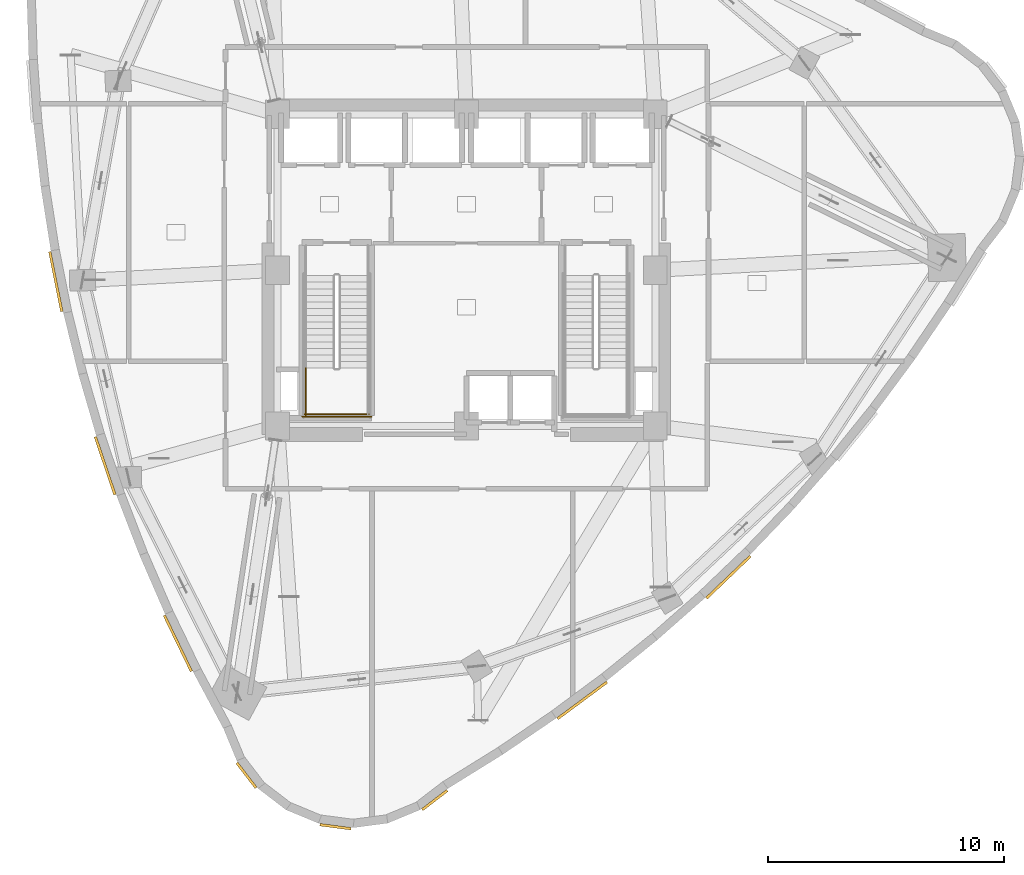
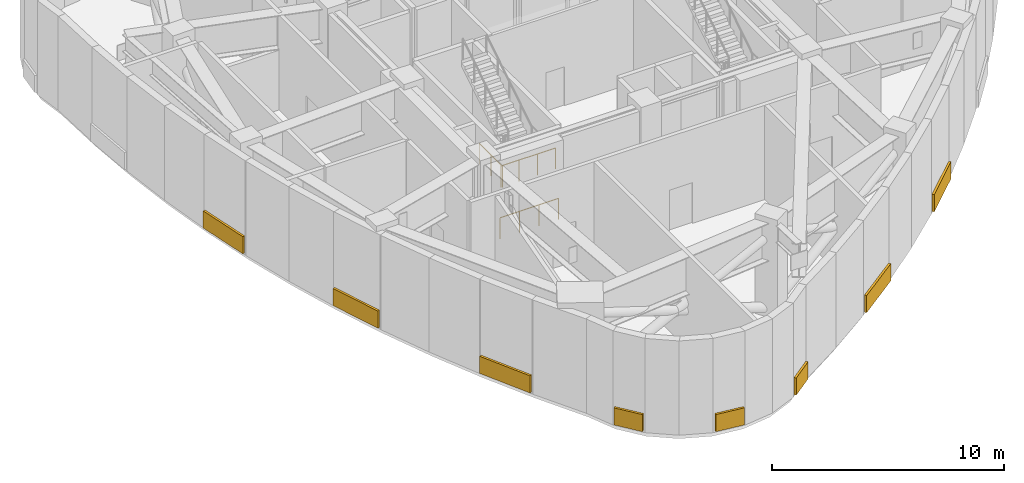
# One storey, part 10 of 12: 8 coverings, 3 railings.
"""IFC4 building model written with IfcOpenShell, lengths in metres."""

from ifc_helpers import new_model, si_unit, direction, frame, origin, origin_2d, place, context, subcontext, project, spatial, rectangle, circle, extrude, material, layer, layer_set, type_object, element, save


model = new_model("IFC4")

# Units and contexts
model_context = context("Model", 3, precision=1e-05, world=origin(), true_north=direction((0.0, 1.0)))
body_context = subcontext(model_context, "Body", "Model", "MODEL_VIEW")
ifc_project = project(units=[si_unit("LENGTHUNIT", "METRE"), si_unit("AREAUNIT", "SQUARE_METRE"), si_unit("VOLUMEUNIT", "CUBIC_METRE"), si_unit("PLANEANGLEUNIT", "RADIAN"), si_unit("MASSUNIT", "GRAM", prefix="KILO")], contexts=[model_context])

# Site, building, storey
site_placement = place(None, origin())
site = spatial("IfcSite", under=ifc_project, at=site_placement, CompositionType="ELEMENT")
building_placement = place(site_placement, origin())
building = spatial("IfcBuilding", under=site, at=building_placement, Name="Ndelora Gate Hotel", CompositionType="ELEMENT")
storey_placement = place(building_placement, frame((0.0, 0.0, 168.5)))
storey = spatial("IfcBuildingStorey", under=building, at=storey_placement, Name="L42", CompositionType="ELEMENT", Elevation=168.5)

# Coverings
ifc_material_1 = material(Name="Terracotta Fired Clay Brick Slip Cladding", Category="masonry")
ifc_layer_1 = layer(ifc_material_1, 0.110107421875)
ifc_layer_set_1 = layer_set([ifc_layer_1], Name="Terracotta Fired Clay Brick Slip Cladding")
covering_type = type_object("IfcCoveringType", Name="COV-CLAD-BRK", PredefinedType="CLADDING", material=ifc_layer_set_1)
for number, where, z_axis, x_axis, name in (
    (1, (-17.38818359375, -0.483642578125, 0.10009765625), (0.0, 0.0, 1.0), (-0.196801817247, 0.980443289909, 0.0), "L42 Rounded-Corner Brick Cladding Band 13"),
    (2, (-15.30029296875, -8.275390625, 0.10009765625), (0.0, 0.0, 1.0), (-0.319786271707, 0.947489704655, 0.0), "L42 Rounded-Corner Brick Cladding Band 16"),
):
    element("IfcCovering", number, at=place(storey_placement, frame(where, z_axis=z_axis, x_axis=x_axis)), inside=storey, type_object=covering_type, Name=name, PredefinedType="CLADDING", context=body_context, shape_type="SweptSolid", body=[
        extrude(rectangle(XDim=2.583984375, YDim=0.110107421875, at=origin_2d()), origin(), (0.0, 0.0, 1.0), 0.89990234375),
    ])
covering_1_placement = place(storey_placement, frame((-12.21923828125, -15.800048828125, 0.10009765625), z_axis=(0.0, 0.0, 1.0), x_axis=(-0.435702445497, 0.900090761528, 0.0)))
element("IfcCovering", 3, at=covering_1_placement, inside=storey, type_object=covering_type, Name="L42 Rounded-Corner Brick Cladding Band 19", PredefinedType="CLADDING", context=body_context, shape_type="SweptSolid", body=[
    extrude(rectangle(XDim=2.6279296875, YDim=0.110107421875, at=origin_2d()), origin(), (0.0, 0.0, 1.0), 0.89990234375),
])
for number, where, z_axis, x_axis, name in (
    (4, (-9.315185546875, -21.3896484375, 0.10009765625), (0.0, 0.0, 1.0), (-0.608761429009, 0.793353340291, 0.0), "L42 Rounded-Corner Brick Cladding Band 22"),
    (5, (-5.5458984375, -23.565673828125, 0.10009765625), (0.0, 0.0, 1.0), (-0.991444861374, 0.13052619222, 0.0), "L42 Rounded-Corner Brick Cladding Band 25"),
    (6, (-1.342041015625, -22.439208984375, 0.10009765625), (0.0, 0.0, 1.0), (0.793353340291, 0.608761429009, 0.0), "L42 Rounded-Corner Brick Cladding Band 28"),
):
    element("IfcCovering", number, at=place(storey_placement, frame(where, z_axis=z_axis, x_axis=x_axis)), inside=storey, type_object=covering_type, Name=name, PredefinedType="CLADDING", context=body_context, shape_type="SweptSolid", body=[
        extrude(rectangle(XDim=1.3359375, YDim=0.110107421875, at=origin_2d()), origin(), (0.0, 0.0, 1.0), 0.89990234375),
    ])
covering_2_placement = place(storey_placement, frame((4.90625, -18.215087890625, 0.10009765625), z_axis=(0.0, 0.0, 1.0), x_axis=(0.803441400112, 0.595383839708, 0.0)))
element("IfcCovering", 7, at=covering_2_placement, inside=storey, type_object=covering_type, Name="L42 Rounded-Corner Brick Cladding Band 31", PredefinedType="CLADDING", context=body_context, shape_type="SweptSolid", body=[
    extrude(rectangle(XDim=2.60791015625, YDim=0.110107421875, at=origin_2d()), origin(), (0.0, 0.0, 1.0), 0.89990234375),
])
covering_3_placement = place(storey_placement, frame((11.09521484375, -12.996337890625, 0.10009765625), z_axis=(0.0, 0.0, 1.0), x_axis=(0.722001787667, 0.69189118986, 0.0)))
element("IfcCovering", 8, at=covering_3_placement, inside=storey, type_object=covering_type, Name="L42 Rounded-Corner Brick Cladding Band 34", PredefinedType="CLADDING", context=body_context, shape_type="SweptSolid", body=[
    extrude(rectangle(XDim=2.580078125, YDim=0.110107421875, at=origin_2d()), origin(), (0.0, 0.0, 1.0), 0.89990234375),
])

# Railings
ifc_material_2 = material(Name="Painted Galvanized Steel Balustrade", Category="steel")
ifc_layer_2 = layer(ifc_material_2, 0.06005859375)
ifc_layer_set_2 = layer_set([ifc_layer_2], Name="Painted Galvanized Steel Balustrade")
railing_type = type_object("IfcRailingType", Name="RL-STAIR-GD", PredefinedType="GUARDRAIL", material=ifc_layer_set_2)
railing_1_placement = place(storey_placement, frame((-6.800048828125, -4.14990234375, 2.625)))
element("IfcRailing", 9, at=railing_1_placement, inside=storey, type_object=railing_type, Name="L42 ST4 stair guard 3", PredefinedType="GUARDRAIL", context=body_context, shape_type="SweptSolid", body=[
    extrude(circle(Radius=0.02392578125, at=origin_2d()), frame((0.0, 0.0, 1.10595703125), z_axis=(0.0, -1.0, 0.0), x_axis=(1.0, 0.0, 0.0)), (0.0, 0.0, 1.0), 2.0),
    extrude(circle(Radius=0.02099609375, at=origin_2d()), origin(), (0.0, 0.0, 1.0), 1.081787109375),
    extrude(circle(Radius=0.02099609375, at=origin_2d()), frame((0.0, -1.0, 0.0)), (0.0, 0.0, 1.0), 1.081787109375),
    extrude(circle(Radius=0.02099609375, at=origin_2d()), frame((0.0, -2.0, 0.0)), (0.0, 0.0, 1.0), 1.081787109375),
])
railing_2_placement = place(storey_placement, frame((-6.85009765625, -6.10009765625, 2.625)))
element("IfcRailing", 10, at=railing_2_placement, inside=storey, type_object=railing_type, Name="L42 ST4 stair guard 5", PredefinedType="GUARDRAIL", context=body_context, shape_type="SweptSolid", body=[
    extrude(circle(Radius=0.02392578125, at=origin_2d()), frame((0.0, 0.0, 1.10595703125), z_axis=(1.0, 0.0, 0.0), x_axis=(0.0, 1.0, 0.0)), (0.0, 0.0, 1.0), 2.72021484375),
    extrude(circle(Radius=0.02099609375, at=origin_2d()), origin(), (0.0, 0.0, 1.0), 1.081787109375),
    extrude(circle(Radius=0.02099609375, at=origin_2d()), frame((0.90673828125, 0.0, 0.0)), (0.0, 0.0, 1.0), 1.081787109375),
    extrude(circle(Radius=0.02099609375, at=origin_2d()), frame((1.8134765625, 0.0, 0.0)), (0.0, 0.0, 1.0), 1.081787109375),
    extrude(circle(Radius=0.02099609375, at=origin_2d()), frame((2.72021484375, 0.0, 0.0)), (0.0, 0.0, 1.0), 1.081787109375),
])
railing_3_placement = place(storey_placement, frame((-6.949951171875, -6.199951171875, 0.0)))
element("IfcRailing", 11, at=railing_3_placement, inside=storey, type_object=railing_type, Name="L42 ST4 stair guard 12", PredefinedType="GUARDRAIL", context=body_context, shape_type="SweptSolid", body=[
    extrude(circle(Radius=0.02392578125, at=origin_2d()), frame((0.0, 0.0, 1.10595703125), z_axis=(1.0, 0.0, 0.0), x_axis=(0.0, 1.0, 0.0)), (0.0, 0.0, 1.0), 2.919921875),
    extrude(circle(Radius=0.02099609375, at=origin_2d()), origin(), (0.0, 0.0, 1.0), 1.081787109375),
    extrude(circle(Radius=0.02099609375, at=origin_2d()), frame((0.973388671875, 0.0, 0.0)), (0.0, 0.0, 1.0), 1.081787109375),
    extrude(circle(Radius=0.02099609375, at=origin_2d()), frame((1.946533203125, 0.0, 0.0)), (0.0, 0.0, 1.0), 1.081787109375),
    extrude(circle(Radius=0.02099609375, at=origin_2d()), frame((2.919921875, 0.0, 0.0)), (0.0, 0.0, 1.0), 1.081787109375),
])

save(model, "model.ifc")
